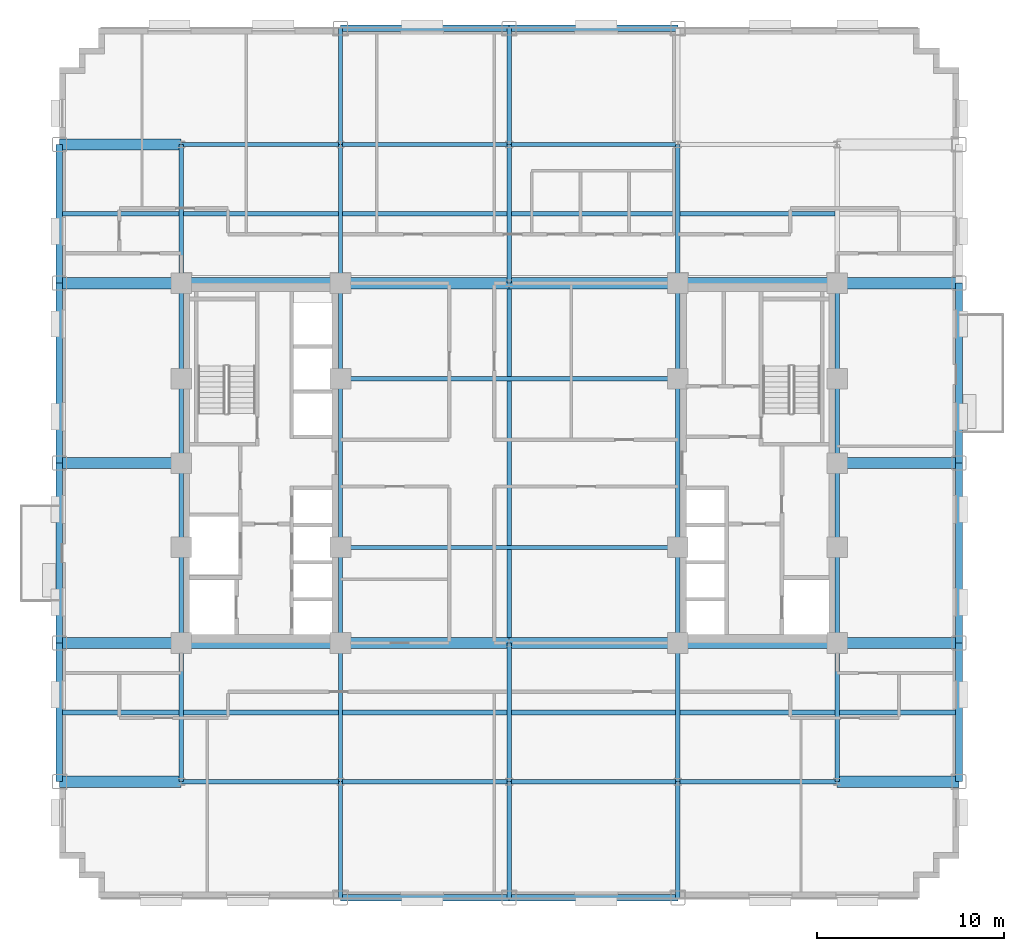
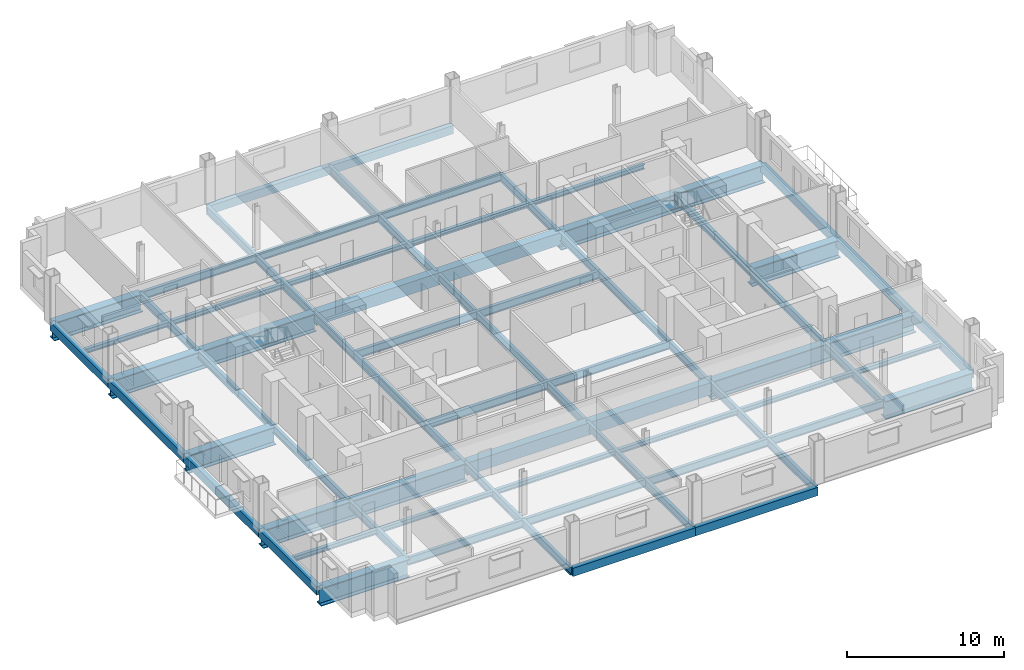
# One storey, part 4 of 15: 73 beams.
"""IFC4 building model written with IfcOpenShell, lengths in metres."""

import ifcopenshell
import ifcopenshell.guid

model = None  # the IFC model being written
_history = None  # IfcOwnerHistory: only IFC2X3 demands one
_inside = {}  # id of a spatial element -> (the spatial element, [elements in it])
_under = {}  # id of a project, library or spatial element -> (it, [spatial elements below it])
_declared = {}  # id of a project -> (the project, [libraries it declares])
_typed = {}  # id of a type object -> (the type object, [elements of that type])
_made_of = {}  # id of a material, layer set ... -> (it, [elements and type objects made of it])


def new_model(schema):
    """Start an empty IFC model of exactly this schema.

    Asked for "IFC4X3", IfcOpenShell would pick the latest addendum, in which some entities
    have other attributes; the version numbers below select the first issue.
    IFC2X3 requires an IfcOwnerHistory on every rooted entity: one is made here for all.
    """
    global model, _history
    if schema == "IFC4X3":
        model = ifcopenshell.file(schema_version=(4, 3, 0, 0))
    else:
        model = ifcopenshell.file(schema=schema)
    _inside.clear()
    _under.clear()
    _declared.clear()
    _typed.clear()
    _made_of.clear()
    _history = None
    if model.schema == "IFC2X3":
        org = make("IfcOrganization", Name="unknown")
        user = make(
            "IfcPersonAndOrganization",
            ThePerson=make("IfcPerson", FamilyName="unknown"),
            TheOrganization=org,
        )
        app = make(
            "IfcApplication",
            ApplicationDeveloper=org,
            Version="unknown",
            ApplicationFullName="unknown",
            ApplicationIdentifier="unknown",
        )
        _history = make(
            "IfcOwnerHistory",
            OwningUser=user,
            OwningApplication=app,
            ChangeAction="ADDED",
            CreationDate=0,
        )
    return model


def make(cls, **values):
    """One entity of the class cls with the attributes given. An attribute that is None is left unset."""
    return model.create_entity(
        cls, **{name: value for name, value in values.items() if value is not None}
    )


def rooted(cls, **values):
    """An entity with a GlobalId (a new one), such as an element, a storey or a relation."""
    return make(cls, GlobalId=ifcopenshell.guid.new(), OwnerHistory=_history, **values)


def si_unit(unit_type, name, prefix=None):
    """IfcSIUnit, for example si_unit("LENGTHUNIT", "METRE", prefix="MILLI")."""
    return make("IfcSIUnit", UnitType=unit_type, Prefix=prefix, Name=name)


def assignment(units):
    """IfcUnitAssignment: the units of a project."""
    return None if units is None else make("IfcUnitAssignment", Units=units)


def point(xyz):
    """IfcCartesianPoint."""
    return None if xyz is None else make("IfcCartesianPoint", Coordinates=xyz)


def direction(xyz):
    """IfcDirection."""
    return None if xyz is None else make("IfcDirection", DirectionRatios=xyz)


def frame(location, z_axis=None, x_axis=None):
    """IfcAxis2Placement3D, a coordinate frame: its origin and axes. An axis left out is left unset."""
    return make(
        "IfcAxis2Placement3D",
        Location=point(location),
        Axis=direction(z_axis),
        RefDirection=direction(x_axis),
    )


def frame_2d(location, x_axis=None):
    """IfcAxis2Placement2D, a coordinate frame in the plane: its origin and x axis."""
    return make(
        "IfcAxis2Placement2D", Location=point(location), RefDirection=direction(x_axis)
    )


def origin():
    """The frame at (0, 0, 0) with its axes left unset."""
    return frame((0.0, 0.0, 0.0))


def origin_2d():
    """The frame at (0, 0) in the plane with its x axis left unset."""
    return frame_2d((0.0, 0.0))


def place(relative_to, where):
    """IfcLocalPlacement: puts the frame where relative to a parent placement (None: the world)."""
    return make(
        "IfcLocalPlacement", PlacementRelTo=relative_to, RelativePlacement=where
    )


def context(
    kind, dimensions, precision=None, world=None, true_north=None, identifier=None
):
    """IfcGeometricRepresentationContext, for example the 3D "Model" context."""
    return make(
        "IfcGeometricRepresentationContext",
        ContextIdentifier=identifier,
        ContextType=kind,
        CoordinateSpaceDimension=dimensions,
        Precision=precision,
        WorldCoordinateSystem=world,
        TrueNorth=true_north,
    )


def subcontext(parent, identifier, kind, view, scale=None):
    """IfcGeometricRepresentationSubContext, for example "Body" below "Model"."""
    return make(
        "IfcGeometricRepresentationSubContext",
        ContextIdentifier=identifier,
        ContextType=kind,
        ParentContext=parent,
        TargetScale=scale,
        TargetView=view,
    )


def project(units=None, contexts=None):
    """IfcProject with its units and contexts."""
    return rooted(
        "IfcProject",
        Name="project",
        RepresentationContexts=contexts,
        UnitsInContext=assignment(units),
    )


def spatial(cls, under=None, at=None, **own):
    """A site, building, storey or space (cls), placed at a placement, below another one or the project."""
    s = rooted(cls, ObjectPlacement=at, **own)
    if under is not None:
        _under.setdefault(under.id(), (under, []))[1].append(s)
    return s


def profile(cls, at=None, kind="AREA", **sizes):
    """A parametric profile (cls). Its sizes go by their IFC names, for example OverallWidth=200.0."""
    return make(cls, ProfileType=kind, Position=at, **sizes)


def rectangle(**sizes):
    """IfcRectangleProfileDef."""
    return profile("IfcRectangleProfileDef", **sizes)


def i_section(**sizes):
    """IfcIShapeProfileDef."""
    return profile("IfcIShapeProfileDef", **sizes)


def extrude(swept, where, along, depth):
    """IfcExtrudedAreaSolid: the profile swept, set in the frame where, extruded along a direction by depth."""
    return make(
        "IfcExtrudedAreaSolid",
        SweptArea=swept,
        Position=where,
        ExtrudedDirection=direction(along),
        Depth=depth,
    )


def shape(context_of_items, identifier, shape_type, items):
    """IfcShapeRepresentation: the items that make up one representation, for example the "Body"."""
    return make(
        "IfcShapeRepresentation",
        ContextOfItems=context_of_items,
        RepresentationIdentifier=identifier,
        RepresentationType=shape_type,
        Items=items,
    )


def material(Name=None, Category=None):
    """IfcMaterial."""
    return make("IfcMaterial", Name=Name, Category=Category)


def material_profile(
    of_material, cross_section, Name=None, Category=None, Priority=None
):
    """IfcMaterialProfile: a cross section and its material."""
    return make(
        "IfcMaterialProfile",
        Name=Name,
        Material=of_material,
        Profile=cross_section,
        Priority=Priority,
        Category=Category,
    )


def profile_set(profiles, Name=None, composite=None):
    """IfcMaterialProfileSet."""
    return make(
        "IfcMaterialProfileSet",
        Name=Name,
        MaterialProfiles=profiles,
        CompositeProfile=composite,
    )


def made_of(thing, what):
    """Note that an element or type object is made of a material, layer set ...; save() writes the relation."""
    if what is not None:
        _made_of.setdefault(what.id(), (what, []))[1].append(thing)
    return thing


def type_object(cls, material=None, **own):
    """A type object (cls), such as IfcWallType, which elements share."""
    return made_of(rooted(cls, **own), material)


def element(
    cls,
    number,
    at=None,
    inside=None,
    cuts=None,
    type_object=None,
    material=None,
    context=None,
    identifier="Body",
    shape_type=None,
    held_by="IfcProductDefinitionShape",
    body=None,
    shapes=None,
    **own,
):
    """One element of the class cls, such as IfcWall. Its Tag is "e" and its number.

    at: its placement. inside: the storey or other place that contains it. cuts: it is an
    opening in that element (IfcRelVoidsElement). A single representation is given by context,
    identifier, shape_type and body (its items); several are given by shapes. held_by: the class
    of the entity that holds the representations. save() writes the other relations.
    """
    e = rooted(cls, Tag="e%d" % number, ObjectPlacement=at, **own)
    if body is not None:
        shapes = [shape(context, identifier, shape_type, body)]
    if shapes is not None:
        e.Representation = make(held_by, Representations=shapes)
    if inside is not None:
        _inside.setdefault(inside.id(), (inside, []))[1].append(e)
    if cuts is not None:
        rooted(
            "IfcRelVoidsElement", RelatingBuildingElement=cuts, RelatedOpeningElement=e
        )
    if type_object is not None:
        _typed.setdefault(type_object.id(), (type_object, []))[1].append(e)
    return made_of(e, material)


def aggregate(whole, parts):
    """IfcRelAggregates: a whole, such as a stair, and the parts it consists of."""
    return rooted("IfcRelAggregates", RelatingObject=whole, RelatedObjects=parts)


def save(model, path):
    """Write the relations noted so far, then the file.

    IfcRelAggregates (storeys below a building ...), IfcRelContainedInSpatialStructure (elements
    in a storey), IfcRelDefinesByType, IfcRelAssociatesMaterial and IfcRelDeclares: one each for
    every whole, place, type object, material and project.
    """
    for whole, parts in _under.values():
        aggregate(whole, parts)
    for where, things in _inside.values():
        rooted(
            "IfcRelContainedInSpatialStructure",
            RelatedElements=things,
            RelatingStructure=where,
        )
    for kind, things in _typed.values():
        rooted("IfcRelDefinesByType", RelatedObjects=things, RelatingType=kind)
    for what, things in _made_of.values():
        rooted("IfcRelAssociatesMaterial", RelatedObjects=things, RelatingMaterial=what)
    for by, libraries in _declared.values():
        rooted("IfcRelDeclares", RelatingContext=by, RelatedDefinitions=libraries)
    model.write(path)


model = new_model("IFC4")

# Units and contexts
model_context = context("Model", 3, precision=1e-05, world=origin(), true_north=direction((0.0, 1.0)))
body_context = subcontext(model_context, "Body", "Model", "MODEL_VIEW")
ifc_project = project(units=[si_unit("LENGTHUNIT", "METRE"), si_unit("AREAUNIT", "SQUARE_METRE"), si_unit("VOLUMEUNIT", "CUBIC_METRE"), si_unit("PLANEANGLEUNIT", "RADIAN"), si_unit("MASSUNIT", "GRAM", prefix="KILO")], contexts=[model_context])

# Site, building, storey
site_placement = place(None, origin())
site = spatial("IfcSite", under=ifc_project, at=site_placement, CompositionType="ELEMENT")
building_placement = place(site_placement, origin())
building = spatial("IfcBuilding", under=site, at=building_placement, Name="Nuvemarco Arch Tower", CompositionType="ELEMENT")
storey_placement = place(building_placement, frame((0.0, 0.0, 86.0)))
storey = spatial("IfcBuildingStorey", under=building, at=storey_placement, Name="L22", CompositionType="ELEMENT", Elevation=86.0)

# Beams
ifc_material_1 = material(Name="Concrete C60/75", Category="concrete")
ifc_material_profile_1 = material_profile(ifc_material_1, rectangle(XDim=0.60009765625, YDim=0.949951171875, at=origin_2d()), Name="RC-BM-600x950")
ifc_profile_set_1 = profile_set([ifc_material_profile_1], Name="Concrete C60/75")
beam_type_1 = type_object("IfcBeamType", Name="BM-COUP-RC", PredefinedType="LINTEL", material=ifc_profile_set_1)
for number, where, z_axis, x_axis, name in (
    (1, (-9.0, -9.60009765625, -0.875), (1.0, 0.0, 0.0), (0.0, 1.0, 0.0), "L22 structural beam BGEW_L22_0_-9.6_-9.0"),
    (2, (0.0, -9.60009765625, -0.875), (1.0, 0.0, 0.0), (0.0, 1.0, 0.0), "L22 structural beam BGEW_L22_0_-9.6_+0.0"),
    (3, (-9.0, 9.60009765625, -0.875), (1.0, 0.0, 0.0), (0.0, 1.0, 0.0), "L22 structural beam BGEW_L22_0_+9.6_-9.0"),
    (4, (0.0, 9.60009765625, -0.875), (1.0, 0.0, 0.0), (0.0, 1.0, 0.0), "L22 structural beam BGEW_L22_0_+9.6_+0.0"),
):
    element("IfcBeam", number, at=place(storey_placement, frame(where, z_axis=z_axis, x_axis=x_axis)), inside=storey, type_object=beam_type_1, Name=name, PredefinedType="LINTEL", context=body_context, shape_type="SweptSolid", body=[
        extrude(rectangle(XDim=0.60009765625, YDim=0.949951171875, at=origin_2d()), origin(), (0.0, 0.0, 1.0), 9.0),
    ])
ifc_material_2 = material(Name="Steel S355", Category="steel")
ifc_material_profile_2 = material_profile(ifc_material_2, i_section(OverallWidth=0.22998046875, OverallDepth=0.616943359375, WebThickness=0.01318359375, FlangeThickness=0.022216796875, FilletRadius=0.01611328125, at=origin_2d()), Name="W610x140")
ifc_profile_set_2 = profile_set([ifc_material_profile_2], Name="Steel S355")
beam_type_2 = type_object("IfcBeamType", Name="BM-GIRD-610", PredefinedType="BEAM", material=ifc_profile_set_2)
beam_1_placement = place(storey_placement, frame((-17.5, -17.0, -0.70849609375), z_axis=(0.0, 1.0, 0.0), x_axis=(-1.0, 0.0, 0.0)))
element("IfcBeam", 5, at=beam_1_placement, inside=storey, type_object=beam_type_2, Name="L22 structural beam BGNS_L22_0_-17.5_-17.0", PredefinedType="BEAM", context=body_context, shape_type="SweptSolid", body=[
    extrude(i_section(OverallWidth=0.22998046875, OverallDepth=0.616943359375, WebThickness=0.01318359375, FlangeThickness=0.022216796875, FilletRadius=0.01611328125, at=origin_2d()), origin(), (0.0, 0.0, 1.0), 7.39990234375),
])
beam_2_placement = place(storey_placement, frame((-17.5, -9.60009765625, -0.70849609375), z_axis=(0.0, 1.0, 0.0), x_axis=(-1.0, 0.0, 0.0)))
element("IfcBeam", 6, at=beam_2_placement, inside=storey, type_object=beam_type_2, Name="L22 structural beam BGNS_L22_0_-17.5_-9.6", PredefinedType="BEAM", context=body_context, shape_type="SweptSolid", body=[
    extrude(i_section(OverallWidth=0.22998046875, OverallDepth=0.616943359375, WebThickness=0.01318359375, FlangeThickness=0.022216796875, FilletRadius=0.01611328125, at=origin_2d()), origin(), (0.0, 0.0, 1.0), 5.10009765625),
])
for number, where, z_axis, x_axis, name in (
    (7, (-17.5, -4.5, -0.70849609375), (0.0, 1.0, 0.0), (-1.0, 0.0, 0.0), "L22 structural beam BGNS_L22_0_-17.5_-4.5"),
    (8, (-17.5, 0.0, -0.70849609375), (0.0, 1.0, 0.0), (-1.0, 0.0, 0.0), "L22 structural beam BGNS_L22_0_-17.5_+0.0"),
):
    element("IfcBeam", number, at=place(storey_placement, frame(where, z_axis=z_axis, x_axis=x_axis)), inside=storey, type_object=beam_type_2, Name=name, PredefinedType="BEAM", context=body_context, shape_type="SweptSolid", body=[
        extrude(i_section(OverallWidth=0.22998046875, OverallDepth=0.616943359375, WebThickness=0.01318359375, FlangeThickness=0.022216796875, FilletRadius=0.01611328125, at=origin_2d()), origin(), (0.0, 0.0, 1.0), 4.5),
    ])
beam_3_placement = place(storey_placement, frame((-17.5, 4.5, -0.70849609375), z_axis=(0.0, 1.0, 0.0), x_axis=(-1.0, 0.0, 0.0)))
element("IfcBeam", 9, at=beam_3_placement, inside=storey, type_object=beam_type_2, Name="L22 structural beam BGNS_L22_0_-17.5_+4.5", PredefinedType="BEAM", context=body_context, shape_type="SweptSolid", body=[
    extrude(i_section(OverallWidth=0.22998046875, OverallDepth=0.616943359375, WebThickness=0.01318359375, FlangeThickness=0.022216796875, FilletRadius=0.01611328125, at=origin_2d()), origin(), (0.0, 0.0, 1.0), 5.10009765625),
])
beam_4_placement = place(storey_placement, frame((-17.5, 9.60009765625, -0.70849609375), z_axis=(0.0, 1.0, 0.0), x_axis=(-1.0, 0.0, 0.0)))
element("IfcBeam", 10, at=beam_4_placement, inside=storey, type_object=beam_type_2, Name="L22 structural beam BGNS_L22_0_-17.5_+9.6", PredefinedType="BEAM", context=body_context, shape_type="SweptSolid", body=[
    extrude(i_section(OverallWidth=0.22998046875, OverallDepth=0.616943359375, WebThickness=0.01318359375, FlangeThickness=0.022216796875, FilletRadius=0.01611328125, at=origin_2d()), origin(), (0.0, 0.0, 1.0), 7.39990234375),
])
beam_5_placement = place(storey_placement, frame((-9.0, -23.199951171875, -0.70849609375), z_axis=(0.0, 1.0, 0.0), x_axis=(-1.0, 0.0, 0.0)))
element("IfcBeam", 11, at=beam_5_placement, inside=storey, type_object=beam_type_2, Name="L22 structural beam BGNS_L22_0_-9.0_-23.2", PredefinedType="BEAM", context=body_context, shape_type="SweptSolid", body=[
    extrude(i_section(OverallWidth=0.22998046875, OverallDepth=0.616943359375, WebThickness=0.01318359375, FlangeThickness=0.022216796875, FilletRadius=0.01611328125, at=origin_2d()), origin(), (0.0, 0.0, 1.0), 6.199951171875),
])
beam_6_placement = place(storey_placement, frame((-9.0, -17.0, -0.70849609375), z_axis=(0.0, 1.0, 0.0), x_axis=(-1.0, 0.0, 0.0)))
element("IfcBeam", 12, at=beam_6_placement, inside=storey, type_object=beam_type_2, Name="L22 structural beam BGNS_L22_0_-9.0_-17.0", PredefinedType="BEAM", context=body_context, shape_type="SweptSolid", body=[
    extrude(i_section(OverallWidth=0.22998046875, OverallDepth=0.616943359375, WebThickness=0.01318359375, FlangeThickness=0.022216796875, FilletRadius=0.01611328125, at=origin_2d()), origin(), (0.0, 0.0, 1.0), 7.39990234375),
])
beam_7_placement = place(storey_placement, frame((-9.0, -9.60009765625, -0.70849609375), z_axis=(0.0, 1.0, 0.0), x_axis=(-1.0, 0.0, 0.0)))
element("IfcBeam", 13, at=beam_7_placement, inside=storey, type_object=beam_type_2, Name="L22 structural beam BGNS_L22_0_-9.0_-9.6", PredefinedType="BEAM", context=body_context, shape_type="SweptSolid", body=[
    extrude(i_section(OverallWidth=0.22998046875, OverallDepth=0.616943359375, WebThickness=0.01318359375, FlangeThickness=0.022216796875, FilletRadius=0.01611328125, at=origin_2d()), origin(), (0.0, 0.0, 1.0), 5.10009765625),
])
beam_8_placement = place(storey_placement, frame((-9.0, -4.5, -0.70849609375), z_axis=(0.0, 1.0, 0.0), x_axis=(-1.0, 0.0, 0.0)))
element("IfcBeam", 14, at=beam_8_placement, inside=storey, type_object=beam_type_2, Name="L22 structural beam BGNS_L22_0_-9.0_-4.5", PredefinedType="BEAM", context=body_context, shape_type="SweptSolid", body=[
    extrude(i_section(OverallWidth=0.22998046875, OverallDepth=0.616943359375, WebThickness=0.01318359375, FlangeThickness=0.022216796875, FilletRadius=0.01611328125, at=origin_2d()), origin(), (0.0, 0.0, 1.0), 9.0),
])
beam_9_placement = place(storey_placement, frame((-9.0, 4.5, -0.70849609375), z_axis=(0.0, 1.0, 0.0), x_axis=(-1.0, 0.0, 0.0)))
element("IfcBeam", 15, at=beam_9_placement, inside=storey, type_object=beam_type_2, Name="L22 structural beam BGNS_L22_0_-9.0_+4.5", PredefinedType="BEAM", context=body_context, shape_type="SweptSolid", body=[
    extrude(i_section(OverallWidth=0.22998046875, OverallDepth=0.616943359375, WebThickness=0.01318359375, FlangeThickness=0.022216796875, FilletRadius=0.01611328125, at=origin_2d()), origin(), (0.0, 0.0, 1.0), 5.10009765625),
])
beam_10_placement = place(storey_placement, frame((-9.0, 9.60009765625, -0.70849609375), z_axis=(0.0, 1.0, 0.0), x_axis=(-1.0, 0.0, 0.0)))
element("IfcBeam", 16, at=beam_10_placement, inside=storey, type_object=beam_type_2, Name="L22 structural beam BGNS_L22_0_-9.0_+9.6", PredefinedType="BEAM", context=body_context, shape_type="SweptSolid", body=[
    extrude(i_section(OverallWidth=0.22998046875, OverallDepth=0.616943359375, WebThickness=0.01318359375, FlangeThickness=0.022216796875, FilletRadius=0.01611328125, at=origin_2d()), origin(), (0.0, 0.0, 1.0), 7.39990234375),
])
for number, where, z_axis, x_axis, name in (
    (17, (-9.0, 17.0, -0.70849609375), (0.0, 1.0, 0.0), (-1.0, 0.0, 0.0), "L22 structural beam BGNS_L22_0_-9.0_+17.0"),
    (18, (0.0, -23.199951171875, -0.70849609375), (0.0, 1.0, 0.0), (-1.0, 0.0, 0.0), "L22 structural beam BGNS_L22_0_+0.0_-23.2"),
):
    element("IfcBeam", number, at=place(storey_placement, frame(where, z_axis=z_axis, x_axis=x_axis)), inside=storey, type_object=beam_type_2, Name=name, PredefinedType="BEAM", context=body_context, shape_type="SweptSolid", body=[
        extrude(i_section(OverallWidth=0.22998046875, OverallDepth=0.616943359375, WebThickness=0.01318359375, FlangeThickness=0.022216796875, FilletRadius=0.01611328125, at=origin_2d()), origin(), (0.0, 0.0, 1.0), 6.199951171875),
    ])
beam_11_placement = place(storey_placement, frame((0.0, -17.0, -0.70849609375), z_axis=(0.0, 1.0, 0.0), x_axis=(-1.0, 0.0, 0.0)))
element("IfcBeam", 19, at=beam_11_placement, inside=storey, type_object=beam_type_2, Name="L22 structural beam BGNS_L22_0_+0.0_-17.0", PredefinedType="BEAM", context=body_context, shape_type="SweptSolid", body=[
    extrude(i_section(OverallWidth=0.22998046875, OverallDepth=0.616943359375, WebThickness=0.01318359375, FlangeThickness=0.022216796875, FilletRadius=0.01611328125, at=origin_2d()), origin(), (0.0, 0.0, 1.0), 7.39990234375),
])
beam_12_placement = place(storey_placement, frame((0.0, -9.60009765625, -0.70849609375), z_axis=(0.0, 1.0, 0.0), x_axis=(-1.0, 0.0, 0.0)))
element("IfcBeam", 20, at=beam_12_placement, inside=storey, type_object=beam_type_2, Name="L22 structural beam BGNS_L22_0_+0.0_-9.6", PredefinedType="BEAM", context=body_context, shape_type="SweptSolid", body=[
    extrude(i_section(OverallWidth=0.22998046875, OverallDepth=0.616943359375, WebThickness=0.01318359375, FlangeThickness=0.022216796875, FilletRadius=0.01611328125, at=origin_2d()), origin(), (0.0, 0.0, 1.0), 19.2001953125),
])
beam_13_placement = place(storey_placement, frame((0.0, 9.60009765625, -0.70849609375), z_axis=(0.0, 1.0, 0.0), x_axis=(-1.0, 0.0, 0.0)))
element("IfcBeam", 21, at=beam_13_placement, inside=storey, type_object=beam_type_2, Name="L22 structural beam BGNS_L22_0_+0.0_+9.6", PredefinedType="BEAM", context=body_context, shape_type="SweptSolid", body=[
    extrude(i_section(OverallWidth=0.22998046875, OverallDepth=0.616943359375, WebThickness=0.01318359375, FlangeThickness=0.022216796875, FilletRadius=0.01611328125, at=origin_2d()), origin(), (0.0, 0.0, 1.0), 7.39990234375),
])
for number, where, z_axis, x_axis, name in (
    (22, (0.0, 17.0, -0.70849609375), (0.0, 1.0, 0.0), (-1.0, 0.0, 0.0), "L22 structural beam BGNS_L22_0_+0.0_+17.0"),
    (23, (9.0, -23.199951171875, -0.70849609375), (0.0, 1.0, 0.0), (-1.0, 0.0, 0.0), "L22 structural beam BGNS_L22_0_+9.0_-23.2"),
):
    element("IfcBeam", number, at=place(storey_placement, frame(where, z_axis=z_axis, x_axis=x_axis)), inside=storey, type_object=beam_type_2, Name=name, PredefinedType="BEAM", context=body_context, shape_type="SweptSolid", body=[
        extrude(i_section(OverallWidth=0.22998046875, OverallDepth=0.616943359375, WebThickness=0.01318359375, FlangeThickness=0.022216796875, FilletRadius=0.01611328125, at=origin_2d()), origin(), (0.0, 0.0, 1.0), 6.199951171875),
    ])
beam_14_placement = place(storey_placement, frame((9.0, -17.0, -0.70849609375), z_axis=(0.0, 1.0, 0.0), x_axis=(-1.0, 0.0, 0.0)))
element("IfcBeam", 24, at=beam_14_placement, inside=storey, type_object=beam_type_2, Name="L22 structural beam BGNS_L22_0_+9.0_-17.0", PredefinedType="BEAM", context=body_context, shape_type="SweptSolid", body=[
    extrude(i_section(OverallWidth=0.22998046875, OverallDepth=0.616943359375, WebThickness=0.01318359375, FlangeThickness=0.022216796875, FilletRadius=0.01611328125, at=origin_2d()), origin(), (0.0, 0.0, 1.0), 7.39990234375),
])
beam_15_placement = place(storey_placement, frame((9.0, -9.60009765625, -0.70849609375), z_axis=(0.0, 1.0, 0.0), x_axis=(-1.0, 0.0, 0.0)))
element("IfcBeam", 25, at=beam_15_placement, inside=storey, type_object=beam_type_2, Name="L22 structural beam BGNS_L22_0_+9.0_-9.6", PredefinedType="BEAM", context=body_context, shape_type="SweptSolid", body=[
    extrude(i_section(OverallWidth=0.22998046875, OverallDepth=0.616943359375, WebThickness=0.01318359375, FlangeThickness=0.022216796875, FilletRadius=0.01611328125, at=origin_2d()), origin(), (0.0, 0.0, 1.0), 5.10009765625),
])
beam_16_placement = place(storey_placement, frame((9.0, -4.5, -0.70849609375), z_axis=(0.0, 1.0, 0.0), x_axis=(-1.0, 0.0, 0.0)))
element("IfcBeam", 26, at=beam_16_placement, inside=storey, type_object=beam_type_2, Name="L22 structural beam BGNS_L22_0_+9.0_-4.5", PredefinedType="BEAM", context=body_context, shape_type="SweptSolid", body=[
    extrude(i_section(OverallWidth=0.22998046875, OverallDepth=0.616943359375, WebThickness=0.01318359375, FlangeThickness=0.022216796875, FilletRadius=0.01611328125, at=origin_2d()), origin(), (0.0, 0.0, 1.0), 9.0),
])
beam_17_placement = place(storey_placement, frame((9.0, 4.5, -0.70849609375), z_axis=(0.0, 1.0, 0.0), x_axis=(-1.0, 0.0, 0.0)))
element("IfcBeam", 27, at=beam_17_placement, inside=storey, type_object=beam_type_2, Name="L22 structural beam BGNS_L22_0_+9.0_+4.5", PredefinedType="BEAM", context=body_context, shape_type="SweptSolid", body=[
    extrude(i_section(OverallWidth=0.22998046875, OverallDepth=0.616943359375, WebThickness=0.01318359375, FlangeThickness=0.022216796875, FilletRadius=0.01611328125, at=origin_2d()), origin(), (0.0, 0.0, 1.0), 5.10009765625),
])
for number, where, z_axis, x_axis, name in (
    (28, (9.0, 9.60009765625, -0.70849609375), (0.0, 1.0, 0.0), (-1.0, 0.0, 0.0), "L22 structural beam BGNS_L22_0_+9.0_+9.6"),
    (29, (17.5, -17.0, -0.70849609375), (0.0, 1.0, 0.0), (-1.0, 0.0, 0.0), "L22 structural beam BGNS_L22_0_+17.5_-17.0"),
):
    element("IfcBeam", number, at=place(storey_placement, frame(where, z_axis=z_axis, x_axis=x_axis)), inside=storey, type_object=beam_type_2, Name=name, PredefinedType="BEAM", context=body_context, shape_type="SweptSolid", body=[
        extrude(i_section(OverallWidth=0.22998046875, OverallDepth=0.616943359375, WebThickness=0.01318359375, FlangeThickness=0.022216796875, FilletRadius=0.01611328125, at=origin_2d()), origin(), (0.0, 0.0, 1.0), 7.39990234375),
    ])
beam_18_placement = place(storey_placement, frame((17.5, -9.60009765625, -0.70849609375), z_axis=(0.0, 1.0, 0.0), x_axis=(-1.0, 0.0, 0.0)))
element("IfcBeam", 30, at=beam_18_placement, inside=storey, type_object=beam_type_2, Name="L22 structural beam BGNS_L22_0_+17.5_-9.6", PredefinedType="BEAM", context=body_context, shape_type="SweptSolid", body=[
    extrude(i_section(OverallWidth=0.22998046875, OverallDepth=0.616943359375, WebThickness=0.01318359375, FlangeThickness=0.022216796875, FilletRadius=0.01611328125, at=origin_2d()), origin(), (0.0, 0.0, 1.0), 5.10009765625),
])
for number, where, z_axis, x_axis, name in (
    (31, (17.5, -4.5, -0.70849609375), (0.0, 1.0, 0.0), (-1.0, 0.0, 0.0), "L22 structural beam BGNS_L22_0_+17.5_-4.5"),
    (32, (17.5, 0.0, -0.70849609375), (0.0, 1.0, 0.0), (-1.0, 0.0, 0.0), "L22 structural beam BGNS_L22_0_+17.5_+0.0"),
):
    element("IfcBeam", number, at=place(storey_placement, frame(where, z_axis=z_axis, x_axis=x_axis)), inside=storey, type_object=beam_type_2, Name=name, PredefinedType="BEAM", context=body_context, shape_type="SweptSolid", body=[
        extrude(i_section(OverallWidth=0.22998046875, OverallDepth=0.616943359375, WebThickness=0.01318359375, FlangeThickness=0.022216796875, FilletRadius=0.01611328125, at=origin_2d()), origin(), (0.0, 0.0, 1.0), 4.5),
    ])
beam_19_placement = place(storey_placement, frame((17.5, 4.5, -0.70849609375), z_axis=(0.0, 1.0, 0.0), x_axis=(-1.0, 0.0, 0.0)))
element("IfcBeam", 33, at=beam_19_placement, inside=storey, type_object=beam_type_2, Name="L22 structural beam BGNS_L22_0_+17.5_+4.5", PredefinedType="BEAM", context=body_context, shape_type="SweptSolid", body=[
    extrude(i_section(OverallWidth=0.22998046875, OverallDepth=0.616943359375, WebThickness=0.01318359375, FlangeThickness=0.022216796875, FilletRadius=0.01611328125, at=origin_2d()), origin(), (0.0, 0.0, 1.0), 5.10009765625),
])
beam_20_placement = place(storey_placement, frame((-17.5, -17.0, -0.70849609375), z_axis=(1.0, 0.0, 0.0), x_axis=(0.0, 1.0, 0.0)))
element("IfcBeam", 34, at=beam_20_placement, inside=storey, type_object=beam_type_2, Name="L22 structural beam BGEW_L22_0_-17.0_-17.5", PredefinedType="BEAM", context=body_context, shape_type="SweptSolid", body=[
    extrude(i_section(OverallWidth=0.22998046875, OverallDepth=0.616943359375, WebThickness=0.01318359375, FlangeThickness=0.022216796875, FilletRadius=0.01611328125, at=origin_2d()), origin(), (0.0, 0.0, 1.0), 8.5),
])
for number, where, z_axis, x_axis, name in (
    (35, (-9.0, -17.0, -0.70849609375), (1.0, 0.0, 0.0), (0.0, 1.0, 0.0), "L22 structural beam BGEW_L22_0_-17.0_-9.0"),
    (36, (0.0, -17.0, -0.70849609375), (1.0, 0.0, 0.0), (0.0, 1.0, 0.0), "L22 structural beam BGEW_L22_0_-17.0_+0.0"),
):
    element("IfcBeam", number, at=place(storey_placement, frame(where, z_axis=z_axis, x_axis=x_axis)), inside=storey, type_object=beam_type_2, Name=name, PredefinedType="BEAM", context=body_context, shape_type="SweptSolid", body=[
        extrude(i_section(OverallWidth=0.22998046875, OverallDepth=0.616943359375, WebThickness=0.01318359375, FlangeThickness=0.022216796875, FilletRadius=0.01611328125, at=origin_2d()), origin(), (0.0, 0.0, 1.0), 9.0),
    ])
beam_21_placement = place(storey_placement, frame((9.0, -17.0, -0.70849609375), z_axis=(1.0, 0.0, 0.0), x_axis=(0.0, 1.0, 0.0)))
element("IfcBeam", 37, at=beam_21_placement, inside=storey, type_object=beam_type_2, Name="L22 structural beam BGEW_L22_0_-17.0_+9.0", PredefinedType="BEAM", context=body_context, shape_type="SweptSolid", body=[
    extrude(i_section(OverallWidth=0.22998046875, OverallDepth=0.616943359375, WebThickness=0.01318359375, FlangeThickness=0.022216796875, FilletRadius=0.01611328125, at=origin_2d()), origin(), (0.0, 0.0, 1.0), 8.5),
])
for number, where, z_axis, x_axis, name in (
    (38, (-9.0, -4.5, -0.70849609375), (1.0, 0.0, 0.0), (0.0, 1.0, 0.0), "L22 structural beam BGEW_L22_0_-4.5_-9.0"),
    (39, (-9.0, 4.5, -0.70849609375), (1.0, 0.0, 0.0), (0.0, 1.0, 0.0), "L22 structural beam BGEW_L22_0_+4.5_-9.0"),
):
    element("IfcBeam", number, at=place(storey_placement, frame(where, z_axis=z_axis, x_axis=x_axis)), inside=storey, type_object=beam_type_2, Name=name, PredefinedType="BEAM", context=body_context, shape_type="SweptSolid", body=[
        extrude(i_section(OverallWidth=0.22998046875, OverallDepth=0.616943359375, WebThickness=0.01318359375, FlangeThickness=0.022216796875, FilletRadius=0.01611328125, at=origin_2d()), origin(), (0.0, 0.0, 1.0), 18.0),
    ])
beam_22_placement = place(storey_placement, frame((-17.5, 17.0, -0.70849609375), z_axis=(1.0, 0.0, 0.0), x_axis=(0.0, 1.0, 0.0)))
element("IfcBeam", 40, at=beam_22_placement, inside=storey, type_object=beam_type_2, Name="L22 structural beam BGEW_L22_0_+17.0_-17.5", PredefinedType="BEAM", context=body_context, shape_type="SweptSolid", body=[
    extrude(i_section(OverallWidth=0.22998046875, OverallDepth=0.616943359375, WebThickness=0.01318359375, FlangeThickness=0.022216796875, FilletRadius=0.01611328125, at=origin_2d()), origin(), (0.0, 0.0, 1.0), 8.5),
])
for number, where, z_axis, x_axis, name in (
    (41, (-9.0, 17.0, -0.70849609375), (1.0, 0.0, 0.0), (0.0, 1.0, 0.0), "L22 structural beam BGEW_L22_0_+17.0_-9.0"),
    (42, (0.0, 17.0, -0.70849609375), (1.0, 0.0, 0.0), (0.0, 1.0, 0.0), "L22 structural beam BGEW_L22_0_+17.0_+0.0"),
):
    element("IfcBeam", number, at=place(storey_placement, frame(where, z_axis=z_axis, x_axis=x_axis)), inside=storey, type_object=beam_type_2, Name=name, PredefinedType="BEAM", context=body_context, shape_type="SweptSolid", body=[
        extrude(i_section(OverallWidth=0.22998046875, OverallDepth=0.616943359375, WebThickness=0.01318359375, FlangeThickness=0.022216796875, FilletRadius=0.01611328125, at=origin_2d()), origin(), (0.0, 0.0, 1.0), 9.0),
    ])
ifc_material_profile_3 = material_profile(ifc_material_2, i_section(OverallWidth=0.2548828125, OverallDepth=0.35693359375, WebThickness=0.010498046875, FlangeThickness=0.018310546875, FilletRadius=0.014892578125, at=origin_2d()), Name="W360x101")
ifc_profile_set_3 = profile_set([ifc_material_profile_3], Name="Steel S355")
beam_type_3 = type_object("IfcBeamType", Name="BM-JOIST-360H", PredefinedType="JOIST", material=ifc_profile_set_3)
beam_23_placement = place(storey_placement, frame((-23.824951171875, -13.300048828125, -0.57861328125), z_axis=(1.0, 0.0, 0.0), x_axis=(0.0, 1.0, 0.0)))
element("IfcBeam", 43, at=beam_23_placement, inside=storey, type_object=beam_type_3, Name="L22 structural beam BJ_L22_0_-13.3_-24.0", PredefinedType="JOIST", context=body_context, shape_type="SweptSolid", body=[
    extrude(i_section(OverallWidth=0.2548828125, OverallDepth=0.35693359375, WebThickness=0.010498046875, FlangeThickness=0.018310546875, FilletRadius=0.014892578125, at=origin_2d()), origin(), (0.0, 0.0, 1.0), 6.2099609375),
])
beam_24_placement = place(storey_placement, frame((-17.385009765625, -13.300048828125, -0.57861328125), z_axis=(1.0, 0.0, 0.0), x_axis=(0.0, 1.0, 0.0)))
element("IfcBeam", 44, at=beam_24_placement, inside=storey, type_object=beam_type_3, Name="L22 structural beam BJ_L22_0_-13.3_-17.5", PredefinedType="JOIST", context=body_context, shape_type="SweptSolid", body=[
    extrude(i_section(OverallWidth=0.2548828125, OverallDepth=0.35693359375, WebThickness=0.010498046875, FlangeThickness=0.018310546875, FilletRadius=0.014892578125, at=origin_2d()), origin(), (0.0, 0.0, 1.0), 8.27001953125),
])
for number, where, z_axis, x_axis, name in (
    (45, (-8.885009765625, -13.300048828125, -0.57861328125), (1.0, 0.0, 0.0), (0.0, 1.0, 0.0), "L22 structural beam BJ_L22_0_-13.3_-9.0"),
    (46, (0.114990234375, -13.300048828125, -0.57861328125), (1.0, 0.0, 0.0), (0.0, 1.0, 0.0), "L22 structural beam BJ_L22_0_-13.3_+0.0"),
):
    element("IfcBeam", number, at=place(storey_placement, frame(where, z_axis=z_axis, x_axis=x_axis)), inside=storey, type_object=beam_type_3, Name=name, PredefinedType="JOIST", context=body_context, shape_type="SweptSolid", body=[
        extrude(i_section(OverallWidth=0.2548828125, OverallDepth=0.35693359375, WebThickness=0.010498046875, FlangeThickness=0.018310546875, FilletRadius=0.014892578125, at=origin_2d()), origin(), (0.0, 0.0, 1.0), 8.77001953125),
    ])
beam_25_placement = place(storey_placement, frame((9.114990234375, -13.300048828125, -0.57861328125), z_axis=(1.0, 0.0, 0.0), x_axis=(0.0, 1.0, 0.0)))
element("IfcBeam", 47, at=beam_25_placement, inside=storey, type_object=beam_type_3, Name="L22 structural beam BJ_L22_0_-13.3_+9.0", PredefinedType="JOIST", context=body_context, shape_type="SweptSolid", body=[
    extrude(i_section(OverallWidth=0.2548828125, OverallDepth=0.35693359375, WebThickness=0.010498046875, FlangeThickness=0.018310546875, FilletRadius=0.014892578125, at=origin_2d()), origin(), (0.0, 0.0, 1.0), 8.27001953125),
])
for number, where, z_axis, x_axis, name in (
    (48, (17.614990234375, -13.300048828125, -0.57861328125), (1.0, 0.0, 0.0), (0.0, 1.0, 0.0), "L22 structural beam BJ_L22_0_-13.3_+17.5"),
    (49, (-23.824951171875, 13.300048828125, -0.57861328125), (1.0, 0.0, 0.0), (0.0, 1.0, 0.0), "L22 structural beam BJ_L22_0_+13.3_-24.0"),
):
    element("IfcBeam", number, at=place(storey_placement, frame(where, z_axis=z_axis, x_axis=x_axis)), inside=storey, type_object=beam_type_3, Name=name, PredefinedType="JOIST", context=body_context, shape_type="SweptSolid", body=[
        extrude(i_section(OverallWidth=0.2548828125, OverallDepth=0.35693359375, WebThickness=0.010498046875, FlangeThickness=0.018310546875, FilletRadius=0.014892578125, at=origin_2d()), origin(), (0.0, 0.0, 1.0), 6.2099609375),
    ])
beam_26_placement = place(storey_placement, frame((-17.385009765625, 13.300048828125, -0.57861328125), z_axis=(1.0, 0.0, 0.0), x_axis=(0.0, 1.0, 0.0)))
element("IfcBeam", 50, at=beam_26_placement, inside=storey, type_object=beam_type_3, Name="L22 structural beam BJ_L22_0_+13.3_-17.5", PredefinedType="JOIST", context=body_context, shape_type="SweptSolid", body=[
    extrude(i_section(OverallWidth=0.2548828125, OverallDepth=0.35693359375, WebThickness=0.010498046875, FlangeThickness=0.018310546875, FilletRadius=0.014892578125, at=origin_2d()), origin(), (0.0, 0.0, 1.0), 8.27001953125),
])
for number, where, z_axis, x_axis, name in (
    (51, (-8.885009765625, 13.300048828125, -0.57861328125), (1.0, 0.0, 0.0), (0.0, 1.0, 0.0), "L22 structural beam BJ_L22_0_+13.3_-9.0"),
    (52, (0.114990234375, 13.300048828125, -0.57861328125), (1.0, 0.0, 0.0), (0.0, 1.0, 0.0), "L22 structural beam BJ_L22_0_+13.3_+0.0"),
):
    element("IfcBeam", number, at=place(storey_placement, frame(where, z_axis=z_axis, x_axis=x_axis)), inside=storey, type_object=beam_type_3, Name=name, PredefinedType="JOIST", context=body_context, shape_type="SweptSolid", body=[
        extrude(i_section(OverallWidth=0.2548828125, OverallDepth=0.35693359375, WebThickness=0.010498046875, FlangeThickness=0.018310546875, FilletRadius=0.014892578125, at=origin_2d()), origin(), (0.0, 0.0, 1.0), 8.77001953125),
    ])
beam_27_placement = place(storey_placement, frame((9.114990234375, 13.300048828125, -0.57861328125), z_axis=(1.0, 0.0, 0.0), x_axis=(0.0, 1.0, 0.0)))
element("IfcBeam", 53, at=beam_27_placement, inside=storey, type_object=beam_type_3, Name="L22 structural beam BJ_L22_0_+13.3_+9.0", PredefinedType="JOIST", context=body_context, shape_type="SweptSolid", body=[
    extrude(i_section(OverallWidth=0.2548828125, OverallDepth=0.35693359375, WebThickness=0.010498046875, FlangeThickness=0.018310546875, FilletRadius=0.014892578125, at=origin_2d()), origin(), (0.0, 0.0, 1.0), 8.27001953125),
])
ifc_material_3 = material(Name="Precast concrete C45/55", Category="concrete")
ifc_material_profile_4 = material_profile(ifc_material_3, rectangle(XDim=0.35009765625, YDim=0.64990234375, at=origin_2d()), Name="PC-SP-350x650")
ifc_profile_set_4 = profile_set([ifc_material_profile_4], Name="Precast concrete C45/55")
beam_type_4 = type_object("IfcBeamType", Name="BM-SPAN-RC", PredefinedType="SPANDREL", material=ifc_profile_set_4)
beam_28_placement = place(storey_placement, frame((-24.0, -17.0, -0.72509765625), z_axis=(0.0, 1.0, 0.0), x_axis=(-1.0, 0.0, 0.0)))
element("IfcBeam", 54, at=beam_28_placement, inside=storey, type_object=beam_type_4, Name="L22 structural beam BGNS_L22_0_-24.0_-17.0", PredefinedType="SPANDREL", context=body_context, shape_type="SweptSolid", body=[
    extrude(rectangle(XDim=0.35009765625, YDim=0.64990234375, at=origin_2d()), origin(), (0.0, 0.0, 1.0), 7.39990234375),
])
for number, where, z_axis, x_axis, name in (
    (55, (-24.0, -9.60009765625, -0.72509765625), (0.0, 1.0, 0.0), (-1.0, 0.0, 0.0), "L22 structural beam BGNS_L22_0_-24.0_-9.6"),
    (56, (-24.0, 0.0, -0.72509765625), (0.0, 1.0, 0.0), (-1.0, 0.0, 0.0), "L22 structural beam BGNS_L22_0_-24.0_+0.0"),
):
    element("IfcBeam", number, at=place(storey_placement, frame(where, z_axis=z_axis, x_axis=x_axis)), inside=storey, type_object=beam_type_4, Name=name, PredefinedType="SPANDREL", context=body_context, shape_type="SweptSolid", body=[
        extrude(rectangle(XDim=0.35009765625, YDim=0.64990234375, at=origin_2d()), origin(), (0.0, 0.0, 1.0), 9.60009765625),
    ])
for number, where, z_axis, x_axis, name in (
    (57, (-24.0, 9.60009765625, -0.72509765625), (0.0, 1.0, 0.0), (-1.0, 0.0, 0.0), "L22 structural beam BGNS_L22_0_-24.0_+9.6"),
    (58, (24.0, -17.0, -0.72509765625), (0.0, 1.0, 0.0), (-1.0, 0.0, 0.0), "L22 structural beam BGNS_L22_0_+24.0_-17.0"),
):
    element("IfcBeam", number, at=place(storey_placement, frame(where, z_axis=z_axis, x_axis=x_axis)), inside=storey, type_object=beam_type_4, Name=name, PredefinedType="SPANDREL", context=body_context, shape_type="SweptSolid", body=[
        extrude(rectangle(XDim=0.35009765625, YDim=0.64990234375, at=origin_2d()), origin(), (0.0, 0.0, 1.0), 7.39990234375),
    ])
for number, where, z_axis, x_axis, name in (
    (59, (24.0, -9.60009765625, -0.72509765625), (0.0, 1.0, 0.0), (-1.0, 0.0, 0.0), "L22 structural beam BGNS_L22_0_+24.0_-9.6"),
    (60, (24.0, 0.0, -0.72509765625), (0.0, 1.0, 0.0), (-1.0, 0.0, 0.0), "L22 structural beam BGNS_L22_0_+24.0_+0.0"),
):
    element("IfcBeam", number, at=place(storey_placement, frame(where, z_axis=z_axis, x_axis=x_axis)), inside=storey, type_object=beam_type_4, Name=name, PredefinedType="SPANDREL", context=body_context, shape_type="SweptSolid", body=[
        extrude(rectangle(XDim=0.35009765625, YDim=0.64990234375, at=origin_2d()), origin(), (0.0, 0.0, 1.0), 9.60009765625),
    ])
for number, where, z_axis, x_axis, name in (
    (61, (-9.0, -23.199951171875, -0.72509765625), (1.0, 0.0, 0.0), (0.0, 1.0, 0.0), "L22 structural beam BGEW_L22_0_-23.2_-9.0"),
    (62, (0.0, -23.199951171875, -0.72509765625), (1.0, 0.0, 0.0), (0.0, 1.0, 0.0), "L22 structural beam BGEW_L22_0_-23.2_+0.0"),
    (63, (-9.0, 23.199951171875, -0.72509765625), (1.0, 0.0, 0.0), (0.0, 1.0, 0.0), "L22 structural beam BGEW_L22_0_+23.2_-9.0"),
    (64, (0.0, 23.199951171875, -0.72509765625), (1.0, 0.0, 0.0), (0.0, 1.0, 0.0), "L22 structural beam BGEW_L22_0_+23.2_+0.0"),
):
    element("IfcBeam", number, at=place(storey_placement, frame(where, z_axis=z_axis, x_axis=x_axis)), inside=storey, type_object=beam_type_4, Name=name, PredefinedType="SPANDREL", context=body_context, shape_type="SweptSolid", body=[
        extrude(rectangle(XDim=0.35009765625, YDim=0.64990234375, at=origin_2d()), origin(), (0.0, 0.0, 1.0), 9.0),
    ])
ifc_material_4 = material(Name="Steel S460", Category="steel")
ifc_material_profile_5 = material_profile(ifc_material_4, i_section(OverallWidth=0.60009765625, OverallDepth=1.39990234375, WebThickness=0.031982421875, FlangeThickness=0.054931640625, FilletRadius=0.02001953125, at=origin_2d()), Name="PG1400x600")
ifc_profile_set_5 = profile_set([ifc_material_profile_5], Name="Steel S460")
beam_type_5 = type_object("IfcBeamType", Name="BM-TG-CANT2", PredefinedType="BEAM", material=ifc_profile_set_5)
for number, where, z_axis, x_axis, name in (
    (65, (-24.0, -17.0, -1.10009765625), (1.0, 0.0, 0.0), (0.0, 1.0, 0.0), "L22 structural beam TG_L22_W_-17.0"),
    (66, (17.5, -17.0, -1.10009765625), (1.0, 0.0, 0.0), (0.0, 1.0, 0.0), "L22 structural beam TG_L22_E_-17.0"),
):
    element("IfcBeam", number, at=place(storey_placement, frame(where, z_axis=z_axis, x_axis=x_axis)), inside=storey, type_object=beam_type_5, Name=name, PredefinedType="BEAM", context=body_context, shape_type="SweptSolid", body=[
        extrude(i_section(OverallWidth=0.60009765625, OverallDepth=1.39990234375, WebThickness=0.031982421875, FlangeThickness=0.054931640625, FilletRadius=0.02001953125, at=origin_2d()), origin(), (0.0, 0.0, 1.0), 6.5),
    ])
for number, where, z_axis, x_axis, name in (
    (67, (-24.0, -9.60009765625, -1.10009765625), (1.0, 0.0, 0.0), (0.0, 1.0, 0.0), "L22 structural beam TG_L22_W_-9.6"),
    (68, (9.0, -9.60009765625, -1.10009765625), (1.0, 0.0, 0.0), (0.0, 1.0, 0.0), "L22 structural beam TG_L22_E_-9.6"),
):
    element("IfcBeam", number, at=place(storey_placement, frame(where, z_axis=z_axis, x_axis=x_axis)), inside=storey, type_object=beam_type_5, Name=name, PredefinedType="BEAM", context=body_context, shape_type="SweptSolid", body=[
        extrude(i_section(OverallWidth=0.60009765625, OverallDepth=1.39990234375, WebThickness=0.031982421875, FlangeThickness=0.054931640625, FilletRadius=0.02001953125, at=origin_2d()), origin(), (0.0, 0.0, 1.0), 15.0),
    ])
for number, where, z_axis, x_axis, name in (
    (69, (-24.0, 0.0, -1.10009765625), (1.0, 0.0, 0.0), (0.0, 1.0, 0.0), "L22 structural beam TG_L22_W_+0.0"),
    (70, (17.5, 0.0, -1.10009765625), (1.0, 0.0, 0.0), (0.0, 1.0, 0.0), "L22 structural beam TG_L22_E_+0.0"),
):
    element("IfcBeam", number, at=place(storey_placement, frame(where, z_axis=z_axis, x_axis=x_axis)), inside=storey, type_object=beam_type_5, Name=name, PredefinedType="BEAM", context=body_context, shape_type="SweptSolid", body=[
        extrude(i_section(OverallWidth=0.60009765625, OverallDepth=1.39990234375, WebThickness=0.031982421875, FlangeThickness=0.054931640625, FilletRadius=0.02001953125, at=origin_2d()), origin(), (0.0, 0.0, 1.0), 6.5),
    ])
for number, where, z_axis, x_axis, name in (
    (71, (-24.0, 9.60009765625, -1.10009765625), (1.0, 0.0, 0.0), (0.0, 1.0, 0.0), "L22 structural beam TG_L22_W_+9.6"),
    (72, (9.0, 9.60009765625, -1.10009765625), (1.0, 0.0, 0.0), (0.0, 1.0, 0.0), "L22 structural beam TG_L22_E_+9.6"),
):
    element("IfcBeam", number, at=place(storey_placement, frame(where, z_axis=z_axis, x_axis=x_axis)), inside=storey, type_object=beam_type_5, Name=name, PredefinedType="BEAM", context=body_context, shape_type="SweptSolid", body=[
        extrude(i_section(OverallWidth=0.60009765625, OverallDepth=1.39990234375, WebThickness=0.031982421875, FlangeThickness=0.054931640625, FilletRadius=0.02001953125, at=origin_2d()), origin(), (0.0, 0.0, 1.0), 15.0),
    ])
beam_29_placement = place(storey_placement, frame((-24.0, 17.0, -1.10009765625), z_axis=(1.0, 0.0, 0.0), x_axis=(0.0, 1.0, 0.0)))
element("IfcBeam", 73, at=beam_29_placement, inside=storey, type_object=beam_type_5, Name="L22 structural beam TG_L22_W_+17.0", PredefinedType="BEAM", context=body_context, shape_type="SweptSolid", body=[
    extrude(i_section(OverallWidth=0.60009765625, OverallDepth=1.39990234375, WebThickness=0.031982421875, FlangeThickness=0.054931640625, FilletRadius=0.02001953125, at=origin_2d()), origin(), (0.0, 0.0, 1.0), 6.5),
])

save(model, "model.ifc")
